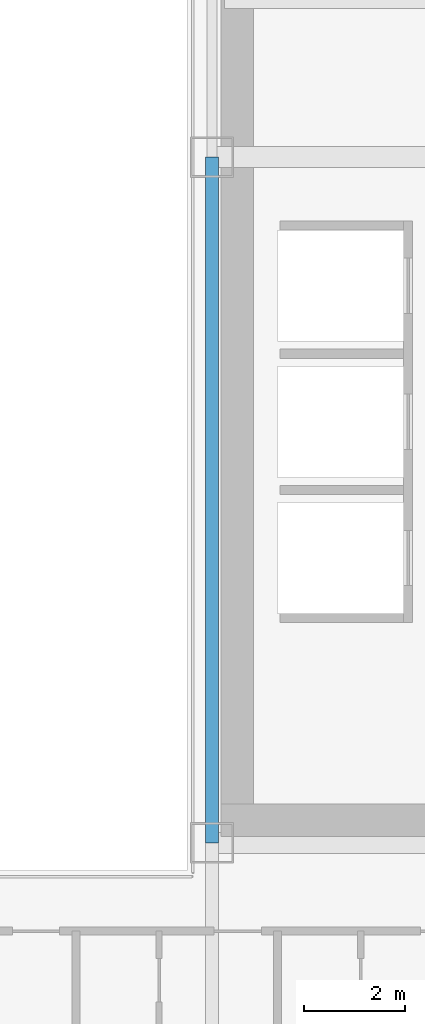
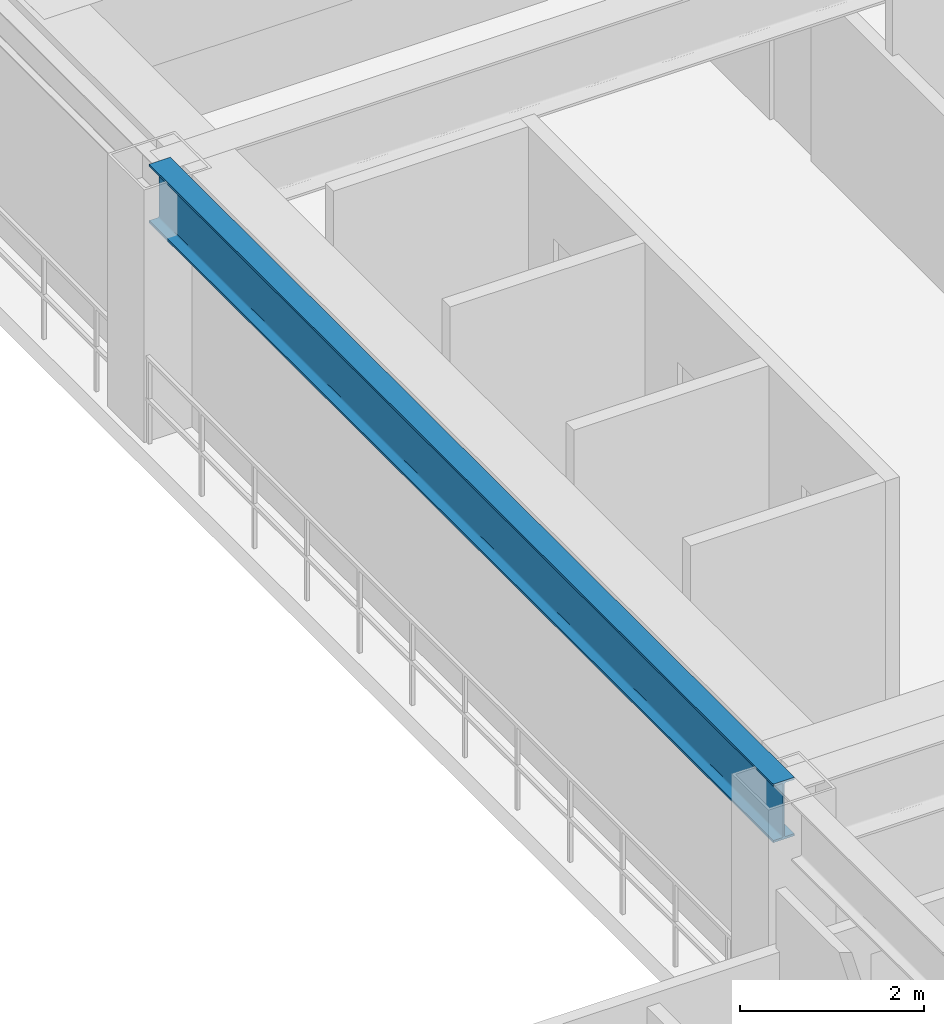
# One storey, part 12 of 36: 1 beam.
"""IFC4 building model written with IfcOpenShell, lengths in metres."""

import ifcopenshell
import ifcopenshell.guid

model = None  # the IFC model being written
_history = None  # IfcOwnerHistory: only IFC2X3 demands one
_inside = {}  # id of a spatial element -> (the spatial element, [elements in it])
_under = {}  # id of a project, library or spatial element -> (it, [spatial elements below it])
_declared = {}  # id of a project -> (the project, [libraries it declares])
_typed = {}  # id of a type object -> (the type object, [elements of that type])
_made_of = {}  # id of a material, layer set ... -> (it, [elements and type objects made of it])


def new_model(schema):
    """Start an empty IFC model of exactly this schema.

    Asked for "IFC4X3", IfcOpenShell would pick the latest addendum, in which some entities
    have other attributes; the version numbers below select the first issue.
    IFC2X3 requires an IfcOwnerHistory on every rooted entity: one is made here for all.
    """
    global model, _history
    if schema == "IFC4X3":
        model = ifcopenshell.file(schema_version=(4, 3, 0, 0))
    else:
        model = ifcopenshell.file(schema=schema)
    _inside.clear()
    _under.clear()
    _declared.clear()
    _typed.clear()
    _made_of.clear()
    _history = None
    if model.schema == "IFC2X3":
        org = make("IfcOrganization", Name="unknown")
        user = make(
            "IfcPersonAndOrganization",
            ThePerson=make("IfcPerson", FamilyName="unknown"),
            TheOrganization=org,
        )
        app = make(
            "IfcApplication",
            ApplicationDeveloper=org,
            Version="unknown",
            ApplicationFullName="unknown",
            ApplicationIdentifier="unknown",
        )
        _history = make(
            "IfcOwnerHistory",
            OwningUser=user,
            OwningApplication=app,
            ChangeAction="ADDED",
            CreationDate=0,
        )
    return model


def make(cls, **values):
    """One entity of the class cls with the attributes given. An attribute that is None is left unset."""
    return model.create_entity(
        cls, **{name: value for name, value in values.items() if value is not None}
    )


def rooted(cls, **values):
    """An entity with a GlobalId (a new one), such as an element, a storey or a relation."""
    return make(cls, GlobalId=ifcopenshell.guid.new(), OwnerHistory=_history, **values)


def si_unit(unit_type, name, prefix=None):
    """IfcSIUnit, for example si_unit("LENGTHUNIT", "METRE", prefix="MILLI")."""
    return make("IfcSIUnit", UnitType=unit_type, Prefix=prefix, Name=name)


def assignment(units):
    """IfcUnitAssignment: the units of a project."""
    return None if units is None else make("IfcUnitAssignment", Units=units)


def point(xyz):
    """IfcCartesianPoint."""
    return None if xyz is None else make("IfcCartesianPoint", Coordinates=xyz)


def direction(xyz):
    """IfcDirection."""
    return None if xyz is None else make("IfcDirection", DirectionRatios=xyz)


def frame(location, z_axis=None, x_axis=None):
    """IfcAxis2Placement3D, a coordinate frame: its origin and axes. An axis left out is left unset."""
    return make(
        "IfcAxis2Placement3D",
        Location=point(location),
        Axis=direction(z_axis),
        RefDirection=direction(x_axis),
    )


def frame_2d(location, x_axis=None):
    """IfcAxis2Placement2D, a coordinate frame in the plane: its origin and x axis."""
    return make(
        "IfcAxis2Placement2D", Location=point(location), RefDirection=direction(x_axis)
    )


def origin():
    """The frame at (0, 0, 0) with its axes left unset."""
    return frame((0.0, 0.0, 0.0))


def origin_2d():
    """The frame at (0, 0) in the plane with its x axis left unset."""
    return frame_2d((0.0, 0.0))


def place(relative_to, where):
    """IfcLocalPlacement: puts the frame where relative to a parent placement (None: the world)."""
    return make(
        "IfcLocalPlacement", PlacementRelTo=relative_to, RelativePlacement=where
    )


def context(
    kind, dimensions, precision=None, world=None, true_north=None, identifier=None
):
    """IfcGeometricRepresentationContext, for example the 3D "Model" context."""
    return make(
        "IfcGeometricRepresentationContext",
        ContextIdentifier=identifier,
        ContextType=kind,
        CoordinateSpaceDimension=dimensions,
        Precision=precision,
        WorldCoordinateSystem=world,
        TrueNorth=true_north,
    )


def subcontext(parent, identifier, kind, view, scale=None):
    """IfcGeometricRepresentationSubContext, for example "Body" below "Model"."""
    return make(
        "IfcGeometricRepresentationSubContext",
        ContextIdentifier=identifier,
        ContextType=kind,
        ParentContext=parent,
        TargetScale=scale,
        TargetView=view,
    )


def project(units=None, contexts=None):
    """IfcProject with its units and contexts."""
    return rooted(
        "IfcProject",
        Name="project",
        RepresentationContexts=contexts,
        UnitsInContext=assignment(units),
    )


def spatial(cls, under=None, at=None, **own):
    """A site, building, storey or space (cls), placed at a placement, below another one or the project."""
    s = rooted(cls, ObjectPlacement=at, **own)
    if under is not None:
        _under.setdefault(under.id(), (under, []))[1].append(s)
    return s


def profile(cls, at=None, kind="AREA", **sizes):
    """A parametric profile (cls). Its sizes go by their IFC names, for example OverallWidth=200.0."""
    return make(cls, ProfileType=kind, Position=at, **sizes)


def i_section(**sizes):
    """IfcIShapeProfileDef."""
    return profile("IfcIShapeProfileDef", **sizes)


def extrude(swept, where, along, depth):
    """IfcExtrudedAreaSolid: the profile swept, set in the frame where, extruded along a direction by depth."""
    return make(
        "IfcExtrudedAreaSolid",
        SweptArea=swept,
        Position=where,
        ExtrudedDirection=direction(along),
        Depth=depth,
    )


def shape(context_of_items, identifier, shape_type, items):
    """IfcShapeRepresentation: the items that make up one representation, for example the "Body"."""
    return make(
        "IfcShapeRepresentation",
        ContextOfItems=context_of_items,
        RepresentationIdentifier=identifier,
        RepresentationType=shape_type,
        Items=items,
    )


def source(mapping_origin, context_of_items, identifier, shape_type, items):
    """IfcRepresentationMap: a shape defined once, which mapped items show again and again."""
    return make(
        "IfcRepresentationMap",
        MappingOrigin=mapping_origin,
        MappedRepresentation=shape(context_of_items, identifier, shape_type, items),
    )


def transform(
    local_origin,
    x_axis=None,
    y_axis=None,
    z_axis=None,
    scale=None,
    scale2=None,
    scale3=None,
    uniform=True,
):
    """IfcCartesianTransformationOperator3D, or its non-uniform kind. x_axis, y_axis, z_axis: its Axis1, 2, 3."""
    if uniform:
        return make(
            "IfcCartesianTransformationOperator3D",
            Axis1=direction(x_axis),
            Axis2=direction(y_axis),
            LocalOrigin=point(local_origin),
            Scale=scale,
            Axis3=direction(z_axis),
        )
    return make(
        "IfcCartesianTransformationOperator3DnonUniform",
        Axis1=direction(x_axis),
        Axis2=direction(y_axis),
        LocalOrigin=point(local_origin),
        Scale=scale,
        Axis3=direction(z_axis),
        Scale2=scale2,
        Scale3=scale3,
    )


def mapped(mapping_source, mapping_target):
    """IfcMappedItem: shows the shape of a source again, moved by a transform."""
    return make(
        "IfcMappedItem", MappingSource=mapping_source, MappingTarget=mapping_target
    )


def material(Name=None, Category=None):
    """IfcMaterial."""
    return make("IfcMaterial", Name=Name, Category=Category)


def material_profile(
    of_material, cross_section, Name=None, Category=None, Priority=None
):
    """IfcMaterialProfile: a cross section and its material."""
    return make(
        "IfcMaterialProfile",
        Name=Name,
        Material=of_material,
        Profile=cross_section,
        Priority=Priority,
        Category=Category,
    )


def profile_set(profiles, Name=None, composite=None):
    """IfcMaterialProfileSet."""
    return make(
        "IfcMaterialProfileSet",
        Name=Name,
        MaterialProfiles=profiles,
        CompositeProfile=composite,
    )


def made_of(thing, what):
    """Note that an element or type object is made of a material, layer set ...; save() writes the relation."""
    if what is not None:
        _made_of.setdefault(what.id(), (what, []))[1].append(thing)
    return thing


def type_object(cls, material=None, **own):
    """A type object (cls), such as IfcWallType, which elements share."""
    return made_of(rooted(cls, **own), material)


def element(
    cls,
    number,
    at=None,
    inside=None,
    cuts=None,
    type_object=None,
    material=None,
    context=None,
    identifier="Body",
    shape_type=None,
    held_by="IfcProductDefinitionShape",
    body=None,
    shapes=None,
    **own,
):
    """One element of the class cls, such as IfcWall. Its Tag is "e" and its number.

    at: its placement. inside: the storey or other place that contains it. cuts: it is an
    opening in that element (IfcRelVoidsElement). A single representation is given by context,
    identifier, shape_type and body (its items); several are given by shapes. held_by: the class
    of the entity that holds the representations. save() writes the other relations.
    """
    e = rooted(cls, Tag="e%d" % number, ObjectPlacement=at, **own)
    if body is not None:
        shapes = [shape(context, identifier, shape_type, body)]
    if shapes is not None:
        e.Representation = make(held_by, Representations=shapes)
    if inside is not None:
        _inside.setdefault(inside.id(), (inside, []))[1].append(e)
    if cuts is not None:
        rooted(
            "IfcRelVoidsElement", RelatingBuildingElement=cuts, RelatedOpeningElement=e
        )
    if type_object is not None:
        _typed.setdefault(type_object.id(), (type_object, []))[1].append(e)
    return made_of(e, material)


def aggregate(whole, parts):
    """IfcRelAggregates: a whole, such as a stair, and the parts it consists of."""
    return rooted("IfcRelAggregates", RelatingObject=whole, RelatedObjects=parts)


def save(model, path):
    """Write the relations noted so far, then the file.

    IfcRelAggregates (storeys below a building ...), IfcRelContainedInSpatialStructure (elements
    in a storey), IfcRelDefinesByType, IfcRelAssociatesMaterial and IfcRelDeclares: one each for
    every whole, place, type object, material and project.
    """
    for whole, parts in _under.values():
        aggregate(whole, parts)
    for where, things in _inside.values():
        rooted(
            "IfcRelContainedInSpatialStructure",
            RelatedElements=things,
            RelatingStructure=where,
        )
    for kind, things in _typed.values():
        rooted("IfcRelDefinesByType", RelatedObjects=things, RelatingType=kind)
    for what, things in _made_of.values():
        rooted("IfcRelAssociatesMaterial", RelatedObjects=things, RelatingMaterial=what)
    for by, libraries in _declared.values():
        rooted("IfcRelDeclares", RelatingContext=by, RelatedDefinitions=libraries)
    model.write(path)


model = new_model("IFC4")

# Units and contexts
model_context = context("Model", 3, precision=1e-05, world=origin(), true_north=direction((0.0, 1.0)))
body_context = subcontext(model_context, "Body", "Model", "MODEL_VIEW")
ifc_project = project(units=[si_unit("LENGTHUNIT", "METRE"), si_unit("AREAUNIT", "SQUARE_METRE"), si_unit("VOLUMEUNIT", "CUBIC_METRE"), si_unit("PLANEANGLEUNIT", "RADIAN"), si_unit("MASSUNIT", "GRAM", prefix="KILO")], contexts=[model_context])

# Site, building, storey
site_placement = place(None, origin())
site = spatial("IfcSite", under=ifc_project, at=site_placement, CompositionType="ELEMENT")
building_placement = place(site_placement, origin())
building = spatial("IfcBuilding", under=site, at=building_placement, Name="Ocotamira Hotel", CompositionType="ELEMENT")
storey_placement = place(building_placement, frame((0.0, 0.0, 136.800048828125)))
storey = spatial("IfcBuildingStorey", under=building, at=storey_placement, Name="L34", CompositionType="ELEMENT", Elevation=136.800048828125)

# Beam
ifc_material = material(Name="Steel ASTM A992 Grade 50", Category="steel")
ifc_material_profile = material_profile(ifc_material, i_section(OverallWidth=0.26611328125, OverallDepth=0.779052734375, WebThickness=0.0166015625, FlangeThickness=0.030029296875, FilletRadius=0.01806640625, at=origin_2d()), Name="W30X148")
ifc_profile_set = profile_set([ifc_material_profile], Name="Steel ASTM A992 Grade 50")
beam_type = type_object("IfcBeamType", Name="BM-GIRD-W30X148", PredefinedType="BEAM", material=ifc_profile_set)
shared_shape = source(origin(), body_context, "Body", "SweptSolid", [
    extrude(i_section(OverallWidth=0.26611328125, OverallDepth=0.779052734375, WebThickness=0.0166015625, FlangeThickness=0.030029296875, FilletRadius=0.01806640625, at=origin_2d()), origin(), (0.0, 0.0, 1.0), 13.599853515625),
])
beam_placement = place(storey_placement, frame((40.5, 14.550048828125, 2.970458984375), z_axis=(0.0, 1.0, 0.0), x_axis=(-1.0, 0.0, 0.0)))
element("IfcBeam", 1, at=beam_placement, inside=storey, type_object=beam_type, Name="L34 Beam X40.5 Y14.55-28.15", PredefinedType="BEAM", context=body_context, shape_type="MappedRepresentation", body=[
    mapped(shared_shape, transform((0.0, 0.0, 0.0), scale=1.0)),
])

save(model, "model.ifc")
